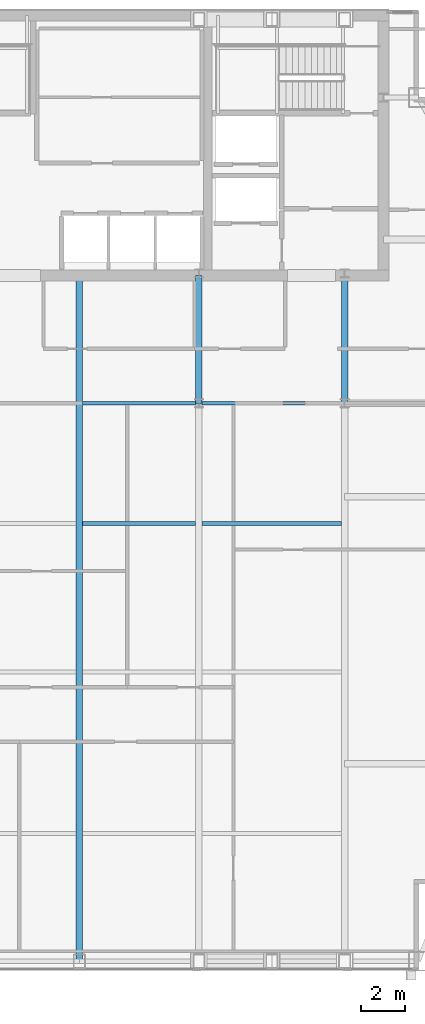
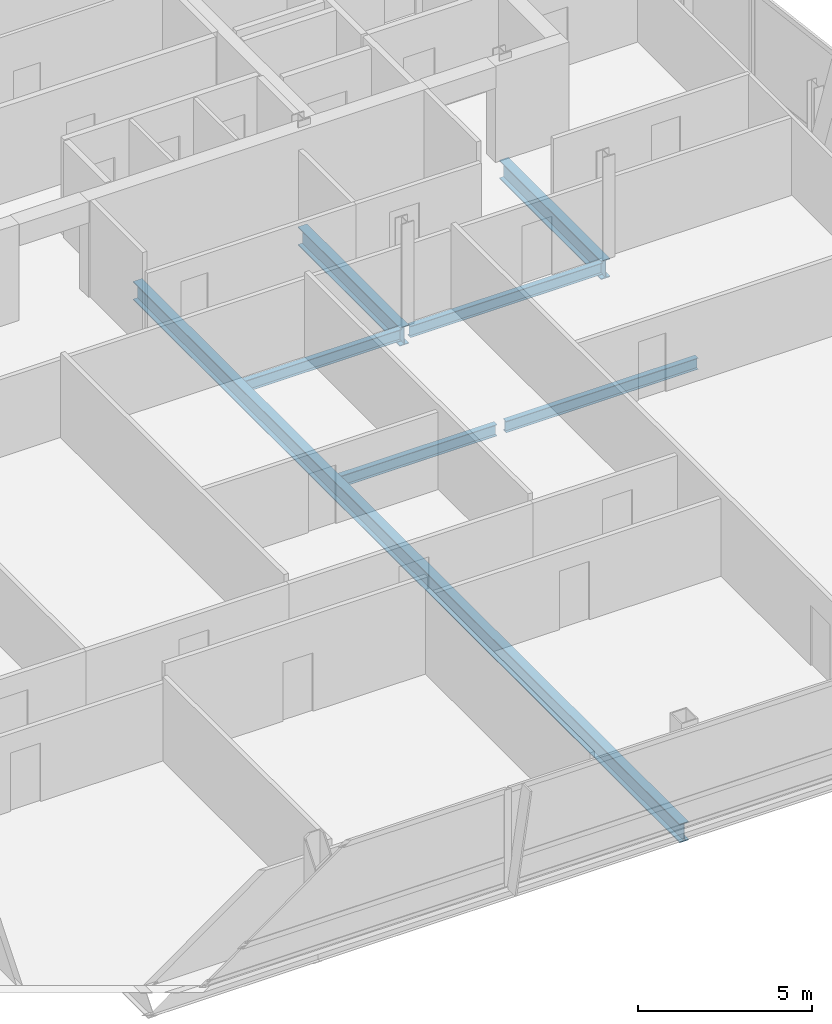
# One storey, part 16 of 29: 7 beams.
"""IFC4 building model written with IfcOpenShell, lengths in metres."""

from ifc_helpers import new_model, si_unit, direction, frame, origin, origin_2d, place, context, subcontext, project, spatial, i_section, extrude, material, material_profile, profile_set, type_object, element, save


model = new_model("IFC4")

# Units and contexts
model_context = context("Model", 3, precision=1e-05, world=origin(), true_north=direction((0.0, 1.0)))
body_context = subcontext(model_context, "Body", "Model", "MODEL_VIEW")
ifc_project = project(units=[si_unit("LENGTHUNIT", "METRE"), si_unit("AREAUNIT", "SQUARE_METRE"), si_unit("VOLUMEUNIT", "CUBIC_METRE"), si_unit("PLANEANGLEUNIT", "RADIAN"), si_unit("MASSUNIT", "GRAM", prefix="KILO")], contexts=[model_context])

# Site, building, storey
site_placement = place(None, origin())
site = spatial("IfcSite", under=ifc_project, at=site_placement, CompositionType="ELEMENT")
building_placement = place(site_placement, origin())
building = spatial("IfcBuilding", under=site, at=building_placement, Name="Khoronbel Lancet Exchange", CompositionType="ELEMENT")
storey_placement = place(building_placement, frame((0.0, 0.0, 302.199951171875)))
storey = spatial("IfcBuildingStorey", under=building, at=storey_placement, Name="L78", CompositionType="ELEMENT", Elevation=302.199951171875)

# Beams
ifc_material = material(Name="Steel S355", Category="steel")
ifc_material_profile_1 = material_profile(ifc_material, i_section(OverallWidth=0.300048828125, OverallDepth=0.64990234375, WebThickness=0.01611328125, FlangeThickness=0.031005859375, at=origin_2d()), Name="HEB 650")
ifc_profile_set_1 = profile_set([ifc_material_profile_1], Name="Steel S355")
beam_type_1 = type_object("IfcBeamType", Name="BM-BG4", PredefinedType="BEAM", material=ifc_profile_set_1)
beam_1_placement = place(storey_placement, frame((42.52490234375, 10.14990234375, -0.48486328125), z_axis=(0.0, 1.0, 0.0), x_axis=(-1.0, 0.0, 0.0)))
element("IfcBeam", 1, at=beam_1_placement, inside=storey, type_object=beam_type_1, Name="Level L78 primary floor girder G4", PredefinedType="BEAM", context=body_context, shape_type="SweptSolid", body=[
    extrude(i_section(OverallWidth=0.300048828125, OverallDepth=0.64990234375, WebThickness=0.01611328125, FlangeThickness=0.031005859375, at=origin_2d()), origin(), (0.0, 0.0, 1.0), 31.400146484375),
])
for number, where, z_axis, x_axis, name in (
    (2, (48.0, 35.699951171875, -0.48486328125), (0.0, 1.0, 0.0), (-1.0, 0.0, 0.0), "Level L78 spine tie girder GN5"),
    (3, (54.675048828125, 35.699951171875, -0.48486328125), (0.0, 1.0, 0.0), (-1.0, 0.0, 0.0), "Level L78 spine tie girder GN6"),
):
    element("IfcBeam", number, at=place(storey_placement, frame(where, z_axis=z_axis, x_axis=x_axis)), inside=storey, type_object=beam_type_1, Name=name, PredefinedType="BEAM", context=body_context, shape_type="SweptSolid", body=[
        extrude(i_section(OverallWidth=0.300048828125, OverallDepth=0.64990234375, WebThickness=0.01611328125, FlangeThickness=0.031005859375, at=origin_2d()), origin(), (0.0, 0.0, 1.0), 5.85009765625),
    ])
ifc_material_profile_2 = material_profile(ifc_material, i_section(OverallWidth=0.179931640625, OverallDepth=0.39990234375, WebThickness=0.008544921875, FlangeThickness=0.013427734375, at=origin_2d()), Name="IPE 400")
ifc_profile_set_2 = profile_set([ifc_material_profile_2], Name="Steel S355")
beam_type_2 = type_object("IfcBeamType", Name="BM-BJ5", PredefinedType="JOIST", material=ifc_profile_set_2)
beam_2_placement = place(storey_placement, frame((42.675048828125, 30.199951171875, -0.35986328125), z_axis=(1.0, 0.0, 0.0), x_axis=(0.0, 1.0, 0.0)))
element("IfcBeam", 4, at=beam_2_placement, inside=storey, type_object=beam_type_2, Name="Level L78 secondary composite joist J14", PredefinedType="JOIST", context=body_context, shape_type="SweptSolid", body=[
    extrude(i_section(OverallWidth=0.179931640625, OverallDepth=0.39990234375, WebThickness=0.008544921875, FlangeThickness=0.013427734375, at=origin_2d()), origin(), (0.0, 0.0, 1.0), 5.175048828125),
])
beam_3_placement = place(storey_placement, frame((48.14990234375, 30.199951171875, -0.35986328125), z_axis=(1.0, 0.0, 0.0), x_axis=(0.0, 1.0, 0.0)))
element("IfcBeam", 5, at=beam_3_placement, inside=storey, type_object=beam_type_2, Name="Level L78 secondary composite joist J15", PredefinedType="JOIST", context=body_context, shape_type="SweptSolid", body=[
    extrude(i_section(OverallWidth=0.179931640625, OverallDepth=0.39990234375, WebThickness=0.008544921875, FlangeThickness=0.013427734375, at=origin_2d()), origin(), (0.0, 0.0, 1.0), 6.375),
])
beam_4_placement = place(storey_placement, frame((42.675048828125, 35.699951171875, -0.35986328125), z_axis=(1.0, 0.0, 0.0), x_axis=(0.0, 1.0, 0.0)))
element("IfcBeam", 6, at=beam_4_placement, inside=storey, type_object=beam_type_2, Name="Level L78 secondary composite joist J19", PredefinedType="JOIST", context=body_context, shape_type="SweptSolid", body=[
    extrude(i_section(OverallWidth=0.179931640625, OverallDepth=0.39990234375, WebThickness=0.008544921875, FlangeThickness=0.013427734375, at=origin_2d()), origin(), (0.0, 0.0, 1.0), 5.175048828125),
])
beam_5_placement = place(storey_placement, frame((48.14990234375, 35.699951171875, -0.35986328125), z_axis=(1.0, 0.0, 0.0), x_axis=(0.0, 1.0, 0.0)))
element("IfcBeam", 7, at=beam_5_placement, inside=storey, type_object=beam_type_2, Name="Level L78 secondary composite joist J20", PredefinedType="JOIST", context=body_context, shape_type="SweptSolid", body=[
    extrude(i_section(OverallWidth=0.179931640625, OverallDepth=0.39990234375, WebThickness=0.008544921875, FlangeThickness=0.013427734375, at=origin_2d()), origin(), (0.0, 0.0, 1.0), 6.375),
])

save(model, "model.ifc")
